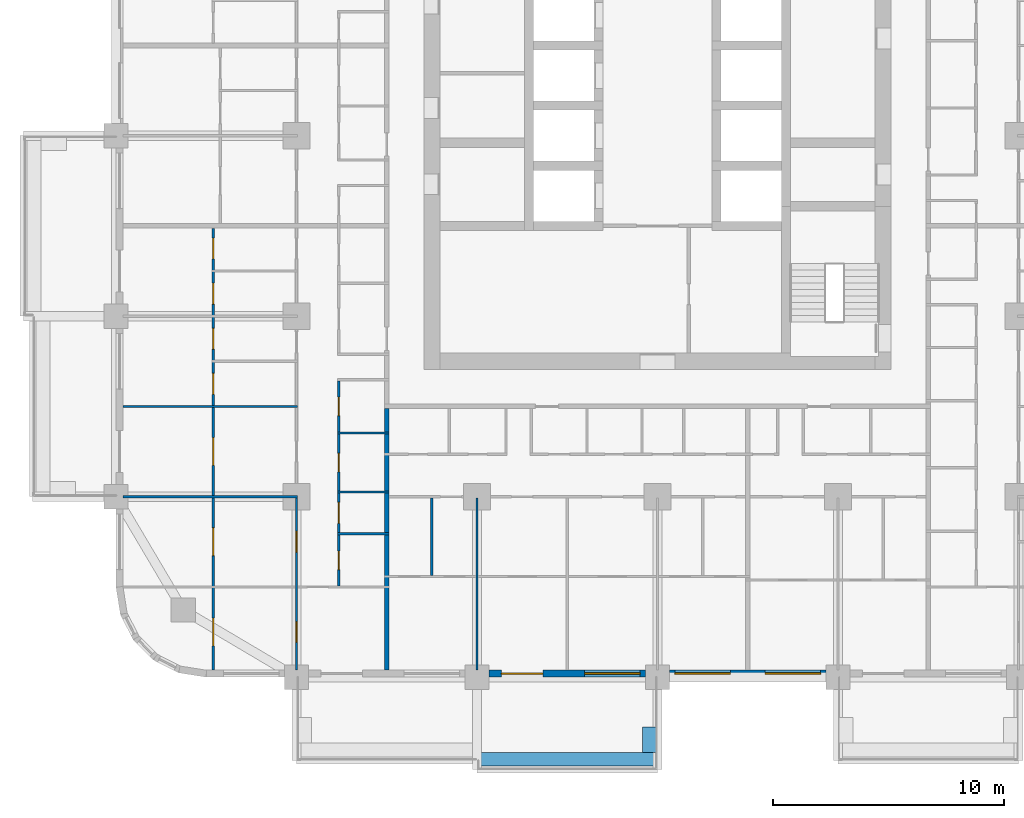
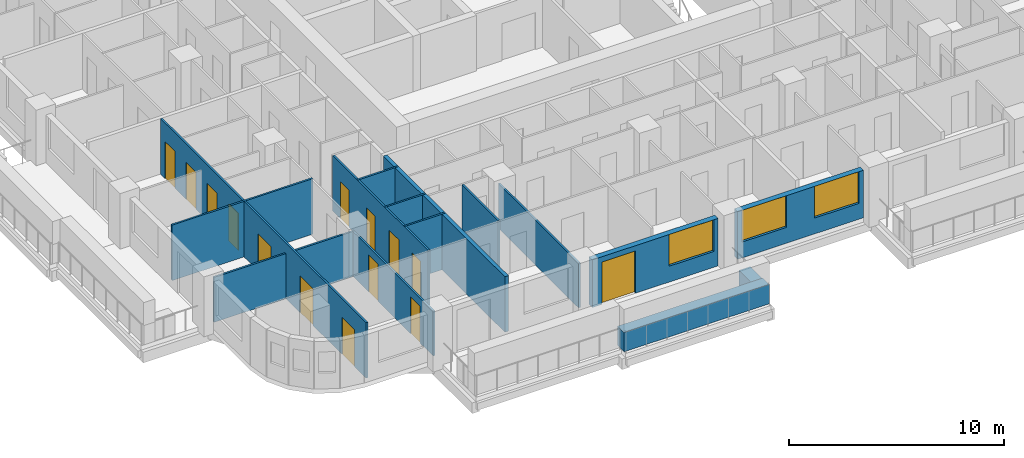
# One storey, part 3 of 17: 15 walls, 14 doors, 3 windows, 17 openings.
"""IFC4 building model written with IfcOpenShell, lengths in metres."""

from ifc_helpers import new_model, si_unit, direction, frame, frame_2d, origin, place, context, subcontext, project, spatial, rectangle, extrude, material, layer, layer_set, type_object, element, fill, save


model = new_model("IFC4")

# Units and contexts
model_context = context("Model", 3, precision=1e-05, world=origin(), true_north=direction((0.0, 1.0)))
body_context = subcontext(model_context, "Body", "Model", "MODEL_VIEW")
ifc_project = project(units=[si_unit("LENGTHUNIT", "METRE"), si_unit("AREAUNIT", "SQUARE_METRE"), si_unit("VOLUMEUNIT", "CUBIC_METRE"), si_unit("PLANEANGLEUNIT", "RADIAN"), si_unit("MASSUNIT", "GRAM", prefix="KILO")], contexts=[model_context])

# Site, building, storey
site_placement = place(None, origin())
site = spatial("IfcSite", under=ifc_project, at=site_placement, CompositionType="ELEMENT")
building_placement = place(site_placement, origin())
building = spatial("IfcBuilding", under=site, at=building_placement, Name="Ludao Terraces", CompositionType="ELEMENT")
storey_placement = place(building_placement, frame((0.0, 0.0, 22.89990234375)))
storey = spatial("IfcBuildingStorey", under=building, at=storey_placement, Name="L05", CompositionType="ELEMENT", Elevation=22.89990234375)

# Walls
ifc_material_1 = material(Name="Concrete C40", Category="concrete")
ifc_layer_1 = layer(ifc_material_1, 0.60009765625)
ifc_layer_set_1 = layer_set([ifc_layer_1], Name="ENV Planter trough 600")
wall_type_1 = type_object("IfcWallType", Name="ENV Planter trough 600", PredefinedType="USERDEFINED", material=ifc_layer_set_1)
wall_1_placement = place(storey_placement, frame((77.199951171875, 38.050048828125, 0.0), z_axis=(0.0, 0.0, 1.0), x_axis=(1.0, 0.0, 0.0)))
element("IfcWall", 1, at=wall_1_placement, inside=storey, type_object=wall_type_1, Name="PL-L05-S2", ObjectType="PLANTER", PredefinedType="USERDEFINED", context=body_context, shape_type="SweptSolid", body=[
    extrude(rectangle(XDim=7.800048828125, YDim=0.60009765625, at=frame_2d((3.89990234375, 0.0))), origin(), (0.0, 0.0, 1.0), 1.10009765625),
])
wall_2_placement = place(storey_placement, frame((84.64990234375, 38.35009765625, 0.0), z_axis=(0.0, 0.0, 1.0), x_axis=(0.0, 1.0, 0.0)))
element("IfcWall", 2, at=wall_2_placement, inside=storey, type_object=wall_type_1, Name="PL-L05-S2-SB", ObjectType="PLANTER", PredefinedType="USERDEFINED", context=body_context, shape_type="SweptSolid", body=[
    extrude(rectangle(XDim=1.099853515625, YDim=0.60009765625, at=frame_2d((0.5498046875, 0.0))), origin(), (0.0, 0.0, 1.0), 1.10009765625),
])

# Wall, openings, door, window
ifc_material_2 = material(Name="Granite cladding", Category="masonry")
ifc_layer_2 = layer(ifc_material_2, 0.0400390625, Category="stone")
ifc_material_3 = material(Name="Mineral wool")
ifc_layer_3 = layer(ifc_material_3, 0.06005859375)
ifc_layer_4 = layer(ifc_material_1, 0.199951171875, Category="concrete")
ifc_layer_set_2 = layer_set([ifc_layer_2, ifc_layer_3, ifc_layer_4], Name="ENV Stone-clad wall 300")
wall_type_2 = type_object("IfcWallType", Name="ENV Stone-clad wall 300", PredefinedType="SOLIDWALL", material=ifc_layer_set_2)
wall_3_placement = place(storey_placement, frame((77.72509765625, 41.75, 0.0), z_axis=(0.0, 0.0, 1.0), x_axis=(1.0, 0.0, 0.0)))
wall_3 = element("IfcWall", 3, at=wall_3_placement, inside=storey, type_object=wall_type_2, Name="EW-L05-S3", PredefinedType="SOLIDWALL", context=body_context, shape_type="SweptSolid", body=[
    extrude(rectangle(XDim=6.75, YDim=0.300048828125, at=frame_2d((3.375, 0.0))), origin(), (0.0, 0.0, 1.0), 2.7001953125),
])
opening_1_placement = place(wall_3_placement, frame((0.52490234375, 0.0, 0.0)))
opening_1 = element("IfcOpeningElement", 4, at=opening_1_placement, cuts=wall_3, Name="Opening BD", PredefinedType="OPENING", context=body_context, shape_type="SweptSolid", body=[
    extrude(rectangle(XDim=1.800048828125, YDim=2.39990234375, at=frame_2d((0.89990234375, 1.199951171875))), frame((0.0, 0.16015625, 0.0), z_axis=(0.0, -1.0, 0.0), x_axis=(1.0, 0.0, 0.0)), (0.0, 0.0, 1.0), 0.320068359375),
])
opening_2_placement = place(wall_3_placement, frame((4.125, 0.0, 0.89990234375)))
opening_2 = element("IfcOpeningElement", 5, at=opening_2_placement, cuts=wall_3, Name="Opening W1", PredefinedType="OPENING", context=body_context, shape_type="SweptSolid", body=[
    extrude(rectangle(XDim=2.39990234375, YDim=1.800048828125, at=frame_2d((1.199951171875, 0.89990234375))), frame((0.0, 0.16015625, 0.0), z_axis=(0.0, -1.0, 0.0), x_axis=(1.0, 0.0, 0.0)), (0.0, 0.0, 1.0), 0.320068359375),
])
ifc_material_4 = material(Name="Aluminium glazed door", Category="aluminium")
ifc_layer_5 = layer(ifc_material_4, 0.06005859375)
ifc_layer_set_3 = layer_set([ifc_layer_5], Name="ENV Balcony door BD 1800x2400")
door_type_1 = type_object("IfcDoorType", Name="ENV Balcony door BD 1800x2400", OperationType="DOUBLE_DOOR_SINGLE_SWING", PredefinedType="DOOR", material=ifc_layer_set_3)
door_1_placement = place(opening_1_placement, origin())
door_1 = element("IfcDoor", 6, at=door_1_placement, inside=storey, type_object=door_type_1, Name="BD-L05-S3-1", OperationType="DOUBLE_DOOR_SINGLE_SWING", OverallHeight=2.39990234375, OverallWidth=1.800048828125, PredefinedType="DOOR", context=body_context, shape_type="SweptSolid", body=[
    extrude(rectangle(XDim=1.800048828125, YDim=2.39990234375, at=frame_2d((0.89990234375, 1.199951171875))), frame((0.0, 0.02490234375, 0.0), z_axis=(0.0, -1.0, 0.0), x_axis=(1.0, 0.0, 0.0)), (0.0, 0.0, 1.0), 0.050048828125),
])
fill(opening_1, door_1)
ifc_material_5 = material(Name="Clear glass in aluminium frame", Category="aluminium")
ifc_layer_6 = layer(ifc_material_5, 0.06005859375)
ifc_layer_set_4 = layer_set([ifc_layer_6], Name="ENV Window W1 2400x1800")
window_type = type_object("IfcWindowType", Name="ENV Window W1 2400x1800", PartitioningType="DOUBLE_PANEL_VERTICAL", PredefinedType="WINDOW", material=ifc_layer_set_4)
window_1_placement = place(opening_2_placement, origin())
window_1 = element("IfcWindow", 7, at=window_1_placement, inside=storey, type_object=window_type, Name="W-L05-S3-2", OverallHeight=1.800048828125, OverallWidth=2.39990234375, PartitioningType="DOUBLE_PANEL_VERTICAL", PredefinedType="WINDOW", context=body_context, shape_type="SweptSolid", body=[
    extrude(rectangle(XDim=2.39990234375, YDim=1.800048828125, at=frame_2d((1.199951171875, 0.89990234375))), frame((0.0, 0.030029296875, 0.0), z_axis=(0.0, -1.0, 0.0), x_axis=(1.0, 0.0, 0.0)), (0.0, 0.0, 1.0), 0.06005859375),
])
fill(opening_2, window_1)

# Wall, openings, windows
wall_4_placement = place(storey_placement, frame((85.52490234375, 41.75, 0.0), z_axis=(0.0, 0.0, 1.0), x_axis=(1.0, 0.0, 0.0)))
wall_4 = element("IfcWall", 8, at=wall_4_placement, inside=storey, type_object=wall_type_2, Name="EW-L05-S4", PredefinedType="SOLIDWALL", context=body_context, shape_type="SweptSolid", body=[
    extrude(rectangle(XDim=6.75, YDim=0.300048828125, at=frame_2d((3.375, 0.0))), origin(), (0.0, 0.0, 1.0), 2.7001953125),
])
opening_3_placement = place(wall_4_placement, frame((0.22509765625, 0.0, 0.89990234375)))
opening_3 = element("IfcOpeningElement", 9, at=opening_3_placement, cuts=wall_4, Name="Opening W1", PredefinedType="OPENING", context=body_context, shape_type="SweptSolid", body=[
    extrude(rectangle(XDim=2.39990234375, YDim=1.800048828125, at=frame_2d((1.199951171875, 0.89990234375))), frame((0.0, 0.16015625, 0.0), z_axis=(0.0, -1.0, 0.0), x_axis=(1.0, 0.0, 0.0)), (0.0, 0.0, 1.0), 0.320068359375),
])
opening_4_placement = place(wall_4_placement, frame((4.125, 0.0, 0.89990234375)))
opening_4 = element("IfcOpeningElement", 10, at=opening_4_placement, cuts=wall_4, Name="Opening W1", PredefinedType="OPENING", context=body_context, shape_type="SweptSolid", body=[
    extrude(rectangle(XDim=2.39990234375, YDim=1.800048828125, at=frame_2d((1.199951171875, 0.89990234375))), frame((0.0, 0.16015625, 0.0), z_axis=(0.0, -1.0, 0.0), x_axis=(1.0, 0.0, 0.0)), (0.0, 0.0, 1.0), 0.320068359375),
])
window_2_placement = place(opening_3_placement, origin())
window_2 = element("IfcWindow", 11, at=window_2_placement, inside=storey, type_object=window_type, Name="W-L05-S4-1", OverallHeight=1.800048828125, OverallWidth=2.39990234375, PartitioningType="DOUBLE_PANEL_VERTICAL", PredefinedType="WINDOW", context=body_context, shape_type="SweptSolid", body=[
    extrude(rectangle(XDim=2.39990234375, YDim=1.800048828125, at=frame_2d((1.199951171875, 0.89990234375))), frame((0.0, 0.030029296875, 0.0), z_axis=(0.0, -1.0, 0.0), x_axis=(1.0, 0.0, 0.0)), (0.0, 0.0, 1.0), 0.06005859375),
])
fill(opening_3, window_2)
window_3_placement = place(opening_4_placement, origin())
window_3 = element("IfcWindow", 12, at=window_3_placement, inside=storey, type_object=window_type, Name="W-L05-S4-2", OverallHeight=1.800048828125, OverallWidth=2.39990234375, PartitioningType="DOUBLE_PANEL_VERTICAL", PredefinedType="WINDOW", context=body_context, shape_type="SweptSolid", body=[
    extrude(rectangle(XDim=2.39990234375, YDim=1.800048828125, at=frame_2d((1.199951171875, 0.89990234375))), frame((0.0, 0.030029296875, 0.0), z_axis=(0.0, -1.0, 0.0), x_axis=(1.0, 0.0, 0.0)), (0.0, 0.0, 1.0), 0.06005859375),
])
fill(opening_4, window_3)

# Walls
ifc_material_6 = material(Name="Gypsum plasterboard", Category="gypsum")
ifc_layer_7 = layer(ifc_material_6, 0.012451171875, Category="gypsum")
ifc_layer_8 = layer(ifc_material_3, 0.06005859375, Name="insulation")
ifc_material_7 = material(Name="Steel Q235", Category="steel")
ifc_layer_9 = layer(ifc_material_7, 0.014892578125, Name="stud")
ifc_layer_10 = layer(ifc_material_6, 0.012451171875, Category="gypsum")
ifc_layer_set_5 = layer_set([ifc_layer_7, ifc_layer_8, ifc_layer_9, ifc_layer_10], Name="INT Partition 100")
wall_type_3 = type_object("IfcWallType", Name="INT Partition 100", PredefinedType="PARTITIONING", material=ifc_layer_set_5)
wall_5_placement = place(storey_placement, frame((71.18017578125, 47.800048828125, 0.0), z_axis=(0.0, 0.0, 1.0), x_axis=(1.0, 0.0, 0.0)))
element("IfcWall", 13, at=wall_5_placement, inside=storey, type_object=wall_type_3, Name="PW-L05-PW005", PredefinedType="PARTITIONING", context=body_context, shape_type="SweptSolid", body=[
    extrude(rectangle(XDim=2.219970703125, YDim=0.10009765625, at=frame_2d((1.10986328125, 0.0))), origin(), (0.0, 0.0, 1.0), 3.150146484375),
])
wall_6_placement = place(storey_placement, frame((61.900146484375, 49.39990234375, 0.0), z_axis=(0.0, 0.0, 1.0), x_axis=(1.0, 0.0, 0.0)))
element("IfcWall", 14, at=wall_6_placement, inside=storey, type_object=wall_type_3, Name="PW-L05-PW007", PredefinedType="PARTITIONING", context=body_context, shape_type="SweptSolid", body=[
    extrude(rectangle(XDim=7.550048828125, YDim=0.10009765625, at=frame_2d((3.77490234375, 0.0))), origin(), (0.0, 0.0, 1.0), 2.550048828125),
])
for number, where, z_axis, x_axis, name in (
    (15, (71.18017578125, 49.60009765625, 0.0), (0.0, 0.0, 1.0), (1.0, 0.0, 0.0), "PW-L05-PW010"),
    (16, (71.18017578125, 52.14990234375, 0.0), (0.0, 0.0, 1.0), (1.0, 0.0, 0.0), "PW-L05-PW015"),
):
    element("IfcWall", number, at=place(storey_placement, frame(where, z_axis=z_axis, x_axis=x_axis)), inside=storey, type_object=wall_type_3, Name=name, PredefinedType="PARTITIONING", context=body_context, shape_type="SweptSolid", body=[
        extrude(rectangle(XDim=2.219970703125, YDim=0.10009765625, at=frame_2d((1.10986328125, 0.0))), origin(), (0.0, 0.0, 1.0), 3.150146484375),
    ])
wall_7_placement = place(storey_placement, frame((61.900146484375, 53.300048828125, 0.0), z_axis=(0.0, 0.0, 1.0), x_axis=(1.0, 0.0, 0.0)))
element("IfcWall", 17, at=wall_7_placement, inside=storey, type_object=wall_type_3, Name="PW-L05-PW016", PredefinedType="PARTITIONING", context=body_context, shape_type="SweptSolid", body=[
    extrude(rectangle(XDim=7.550048828125, YDim=0.10009765625, at=frame_2d((3.77490234375, 0.0))), origin(), (0.0, 0.0, 1.0), 3.150146484375),
])

# Wall, openings, doors
wall_8_placement = place(storey_placement, frame((65.800048828125, 41.900146484375, 0.0), z_axis=(0.0, 0.0, 1.0), x_axis=(0.0, 1.0, 0.0)))
wall_8 = element("IfcWall", 18, at=wall_8_placement, inside=storey, type_object=wall_type_3, Name="PW-L05-PW073", PredefinedType="PARTITIONING", context=body_context, shape_type="SweptSolid", body=[
    extrude(rectangle(XDim=19.099853515625, YDim=0.10009765625, at=frame_2d((9.5498046875, 0.0))), origin(), (0.0, 0.0, 1.0), 3.150146484375),
])
opening_5_placement = place(wall_8_placement, frame((1.050048828125, 0.0, 0.0)))
opening_5 = element("IfcOpeningElement", 19, at=opening_5_placement, cuts=wall_8, Name="Opening R01-001", PredefinedType="OPENING", context=body_context, shape_type="SweptSolid", body=[
    extrude(rectangle(XDim=1.199951171875, YDim=2.10009765625, at=frame_2d((0.60009765625, 1.050048828125))), frame((0.0, 0.06005859375, 0.0), z_axis=(0.0, -1.0, 0.0), x_axis=(1.0, 0.0, 0.0)), (0.0, 0.0, 1.0), 0.1201171875),
])
opening_6_placement = place(wall_8_placement, frame((4.949951171875, 0.0, 0.0)))
opening_6 = element("IfcOpeningElement", 20, at=opening_6_placement, cuts=wall_8, Name="Opening R01-019", PredefinedType="OPENING", context=body_context, shape_type="SweptSolid", body=[
    extrude(rectangle(XDim=1.199951171875, YDim=2.10009765625, at=frame_2d((0.60009765625, 1.050048828125))), frame((0.0, 0.06005859375, 0.0), z_axis=(0.0, -1.0, 0.0), x_axis=(1.0, 0.0, 0.0)), (0.0, 0.0, 1.0), 0.1201171875),
])
opening_7_placement = place(wall_8_placement, frame((8.85009765625, 0.0, 0.0)))
opening_7 = element("IfcOpeningElement", 21, at=opening_7_placement, cuts=wall_8, Name="Opening R01-041", PredefinedType="OPENING", context=body_context, shape_type="SweptSolid", body=[
    extrude(rectangle(XDim=1.199951171875, YDim=2.10009765625, at=frame_2d((0.60009765625, 1.050048828125))), frame((0.0, 0.06005859375, 0.0), z_axis=(0.0, -1.0, 0.0), x_axis=(1.0, 0.0, 0.0)), (0.0, 0.0, 1.0), 0.1201171875),
])
opening_8_placement = place(wall_8_placement, frame((11.925048828125, 0.0, 0.0)))
opening_8 = element("IfcOpeningElement", 22, at=opening_8_placement, cuts=wall_8, Name="Opening R01-049", PredefinedType="OPENING", context=body_context, shape_type="SweptSolid", body=[
    extrude(rectangle(XDim=0.89990234375, YDim=2.10009765625, at=frame_2d((0.449951171875, 1.050048828125))), frame((0.0, 0.06005859375, 0.0), z_axis=(0.0, -1.0, 0.0), x_axis=(1.0, 0.0, 0.0)), (0.0, 0.0, 1.0), 0.1201171875),
])
opening_9_placement = place(wall_8_placement, frame((13.875, 0.0, 0.0)))
opening_9 = element("IfcOpeningElement", 23, at=opening_9_placement, cuts=wall_8, Name="Opening R01-055", PredefinedType="OPENING", context=body_context, shape_type="SweptSolid", body=[
    extrude(rectangle(XDim=0.89990234375, YDim=2.10009765625, at=frame_2d((0.449951171875, 1.050048828125))), frame((0.0, 0.06005859375, 0.0), z_axis=(0.0, -1.0, 0.0), x_axis=(1.0, 0.0, 0.0)), (0.0, 0.0, 1.0), 0.1201171875),
])
opening_10_placement = place(wall_8_placement, frame((15.824951171875, 0.0, 0.0)))
opening_10 = element("IfcOpeningElement", 24, at=opening_10_placement, cuts=wall_8, Name="Opening R01-061", PredefinedType="OPENING", context=body_context, shape_type="SweptSolid", body=[
    extrude(rectangle(XDim=0.89990234375, YDim=2.10009765625, at=frame_2d((0.449951171875, 1.050048828125))), frame((0.0, 0.06005859375, 0.0), z_axis=(0.0, -1.0, 0.0), x_axis=(1.0, 0.0, 0.0)), (0.0, 0.0, 1.0), 0.1201171875),
])
opening_11_placement = place(wall_8_placement, frame((17.77490234375, 0.0, 0.0)))
opening_11 = element("IfcOpeningElement", 25, at=opening_11_placement, cuts=wall_8, Name="Opening R01-066", PredefinedType="OPENING", context=body_context, shape_type="SweptSolid", body=[
    extrude(rectangle(XDim=0.89990234375, YDim=2.10009765625, at=frame_2d((0.449951171875, 1.050048828125))), frame((0.0, 0.06005859375, 0.0), z_axis=(0.0, -1.0, 0.0), x_axis=(1.0, 0.0, 0.0)), (0.0, 0.0, 1.0), 0.1201171875),
])
ifc_material_8 = material(Name="Timber door leaf", Category="wood")
door_type_2 = type_object("IfcDoorType", Name="INT Bathroom door 900", OperationType="SINGLE_SWING_LEFT", PredefinedType="DOOR", material=ifc_material_8)
door_2_placement = place(opening_8_placement, origin())
door_2 = element("IfcDoor", 26, at=door_2_placement, inside=storey, type_object=door_type_2, Name="DOOR 049", OperationType="SINGLE_SWING_RIGHT", OverallHeight=2.10009765625, OverallWidth=0.89990234375, PredefinedType="DOOR", context=body_context, shape_type="SweptSolid", body=[
    extrude(rectangle(XDim=0.89990234375, YDim=2.10009765625, at=frame_2d((0.449951171875, 1.050048828125))), frame((0.0, 0.02490234375, 0.0), z_axis=(0.0, -1.0, 0.0), x_axis=(1.0, 0.0, 0.0)), (0.0, 0.0, 1.0), 0.050048828125),
])
fill(opening_8, door_2)
door_3_placement = place(opening_10_placement, origin())
door_3 = element("IfcDoor", 27, at=door_3_placement, inside=storey, type_object=door_type_2, Name="DOOR 061", OperationType="SINGLE_SWING_LEFT", OverallHeight=2.10009765625, OverallWidth=0.89990234375, PredefinedType="DOOR", context=body_context, shape_type="SweptSolid", body=[
    extrude(rectangle(XDim=0.89990234375, YDim=2.10009765625, at=frame_2d((0.449951171875, 1.050048828125))), frame((0.0, 0.02490234375, 0.0), z_axis=(0.0, -1.0, 0.0), x_axis=(1.0, 0.0, 0.0)), (0.0, 0.0, 1.0), 0.050048828125),
])
fill(opening_10, door_3)
door_type_3 = type_object("IfcDoorType", Name="INT Double door 1200", OperationType="DOUBLE_DOOR_SINGLE_SWING", PredefinedType="DOOR", material=ifc_material_8)
door_4_placement = place(opening_5_placement, origin())
door_4 = element("IfcDoor", 28, at=door_4_placement, inside=storey, type_object=door_type_3, Name="DOOR 001", OperationType="DOUBLE_DOOR_SINGLE_SWING", OverallHeight=2.10009765625, OverallWidth=1.199951171875, PredefinedType="DOOR", context=body_context, shape_type="SweptSolid", body=[
    extrude(rectangle(XDim=1.199951171875, YDim=2.10009765625, at=frame_2d((0.60009765625, 1.050048828125))), frame((0.0, 0.02490234375, 0.0), z_axis=(0.0, -1.0, 0.0), x_axis=(1.0, 0.0, 0.0)), (0.0, 0.0, 1.0), 0.050048828125),
])
fill(opening_5, door_4)
door_5_placement = place(opening_6_placement, origin())
door_5 = element("IfcDoor", 29, at=door_5_placement, inside=storey, type_object=door_type_3, Name="DOOR 019", OperationType="DOUBLE_DOOR_SINGLE_SWING", OverallHeight=2.10009765625, OverallWidth=1.199951171875, PredefinedType="DOOR", context=body_context, shape_type="SweptSolid", body=[
    extrude(rectangle(XDim=1.199951171875, YDim=2.10009765625, at=frame_2d((0.60009765625, 1.050048828125))), frame((0.0, 0.02490234375, 0.0), z_axis=(0.0, -1.0, 0.0), x_axis=(1.0, 0.0, 0.0)), (0.0, 0.0, 1.0), 0.050048828125),
])
fill(opening_6, door_5)
door_6_placement = place(opening_7_placement, origin())
door_6 = element("IfcDoor", 30, at=door_6_placement, inside=storey, type_object=door_type_3, Name="DOOR 041", OperationType="DOUBLE_DOOR_SINGLE_SWING", OverallHeight=2.10009765625, OverallWidth=1.199951171875, PredefinedType="DOOR", context=body_context, shape_type="SweptSolid", body=[
    extrude(rectangle(XDim=1.199951171875, YDim=2.10009765625, at=frame_2d((0.60009765625, 1.050048828125))), frame((0.0, 0.02490234375, 0.0), z_axis=(0.0, -1.0, 0.0), x_axis=(1.0, 0.0, 0.0)), (0.0, 0.0, 1.0), 0.050048828125),
])
fill(opening_7, door_6)
door_type_4 = type_object("IfcDoorType", Name="INT Room door 900", OperationType="SINGLE_SWING_LEFT", PredefinedType="DOOR", material=ifc_material_8)
door_7_placement = place(opening_9_placement, origin())
door_7 = element("IfcDoor", 31, at=door_7_placement, inside=storey, type_object=door_type_4, Name="DOOR 055", OperationType="SINGLE_SWING_RIGHT", OverallHeight=2.10009765625, OverallWidth=0.89990234375, PredefinedType="DOOR", context=body_context, shape_type="SweptSolid", body=[
    extrude(rectangle(XDim=0.89990234375, YDim=2.10009765625, at=frame_2d((0.449951171875, 1.050048828125))), frame((0.0, 0.02490234375, 0.0), z_axis=(0.0, -1.0, 0.0), x_axis=(1.0, 0.0, 0.0)), (0.0, 0.0, 1.0), 0.050048828125),
])
fill(opening_9, door_7)
door_8_placement = place(opening_11_placement, origin())
door_8 = element("IfcDoor", 32, at=door_8_placement, inside=storey, type_object=door_type_4, Name="DOOR 066", OperationType="SINGLE_SWING_LEFT", OverallHeight=2.10009765625, OverallWidth=0.89990234375, PredefinedType="DOOR", context=body_context, shape_type="SweptSolid", body=[
    extrude(rectangle(XDim=0.89990234375, YDim=2.10009765625, at=frame_2d((0.449951171875, 1.050048828125))), frame((0.0, 0.02490234375, 0.0), z_axis=(0.0, -1.0, 0.0), x_axis=(1.0, 0.0, 0.0)), (0.0, 0.0, 1.0), 0.050048828125),
])
fill(opening_11, door_8)

wall_9_placement = place(storey_placement, frame((69.39990234375, 41.900146484375, 0.0), z_axis=(0.0, 0.0, 1.0), x_axis=(0.0, 1.0, 0.0)))
wall_9 = element("IfcWall", 33, at=wall_9_placement, inside=storey, type_object=wall_type_3, Name="PW-L05-PW077", PredefinedType="PARTITIONING", context=body_context, shape_type="SweptSolid", body=[
    extrude(rectangle(XDim=7.499755859375, YDim=0.10009765625, at=frame_2d((3.75, 0.0))), origin(), (0.0, 0.0, 1.0), 2.550048828125),
])
opening_12_placement = place(wall_9_placement, frame((1.199951171875, 0.0, 0.0)))
opening_12 = element("IfcOpeningElement", 34, at=opening_12_placement, cuts=wall_9, Name="Opening R01-002", PredefinedType="OPENING", context=body_context, shape_type="SweptSolid", body=[
    extrude(rectangle(XDim=0.89990234375, YDim=2.10009765625, at=frame_2d((0.449951171875, 1.050048828125))), frame((0.0, 0.06005859375, 0.0), z_axis=(0.0, -1.0, 0.0), x_axis=(1.0, 0.0, 0.0)), (0.0, 0.0, 1.0), 0.1201171875),
])
opening_13_placement = place(wall_9_placement, frame((5.10009765625, 0.0, 0.0)))
opening_13 = element("IfcOpeningElement", 35, at=opening_13_placement, cuts=wall_9, Name="Opening R01-020", PredefinedType="OPENING", context=body_context, shape_type="SweptSolid", body=[
    extrude(rectangle(XDim=0.89990234375, YDim=2.10009765625, at=frame_2d((0.449951171875, 1.050048828125))), frame((0.0, 0.06005859375, 0.0), z_axis=(0.0, -1.0, 0.0), x_axis=(1.0, 0.0, 0.0)), (0.0, 0.0, 1.0), 0.1201171875),
])
door_9_placement = place(opening_12_placement, origin())
door_9 = element("IfcDoor", 36, at=door_9_placement, inside=storey, type_object=door_type_4, Name="DOOR 002", OperationType="SINGLE_SWING_LEFT", OverallHeight=2.10009765625, OverallWidth=0.89990234375, PredefinedType="DOOR", context=body_context, shape_type="SweptSolid", body=[
    extrude(rectangle(XDim=0.89990234375, YDim=2.10009765625, at=frame_2d((0.449951171875, 1.050048828125))), frame((0.0, 0.02490234375, 0.0), z_axis=(0.0, -1.0, 0.0), x_axis=(1.0, 0.0, 0.0)), (0.0, 0.0, 1.0), 0.050048828125),
])
fill(opening_12, door_9)
door_10_placement = place(opening_13_placement, origin())
door_10 = element("IfcDoor", 37, at=door_10_placement, inside=storey, type_object=door_type_4, Name="DOOR 020", OperationType="SINGLE_SWING_RIGHT", OverallHeight=2.10009765625, OverallWidth=0.89990234375, PredefinedType="DOOR", context=body_context, shape_type="SweptSolid", body=[
    extrude(rectangle(XDim=0.89990234375, YDim=2.10009765625, at=frame_2d((0.449951171875, 1.050048828125))), frame((0.0, 0.02490234375, 0.0), z_axis=(0.0, -1.0, 0.0), x_axis=(1.0, 0.0, 0.0)), (0.0, 0.0, 1.0), 0.050048828125),
])
fill(opening_13, door_10)

wall_10_placement = place(storey_placement, frame((71.22998046875, 45.550048828125, 0.0), z_axis=(0.0, 0.0, 1.0), x_axis=(0.0, 1.0, 0.0)))
wall_10 = element("IfcWall", 38, at=wall_10_placement, inside=storey, type_object=wall_type_3, Name="PW-L05-PW078", PredefinedType="PARTITIONING", context=body_context, shape_type="SweptSolid", body=[
    extrude(rectangle(XDim=8.85009765625, YDim=0.10009765625, at=frame_2d((4.425048828125, 0.0))), origin(), (0.0, 0.0, 1.0), 3.150146484375),
])
opening_14_placement = place(wall_10_placement, frame((0.699951171875, 0.0, 0.0)))
opening_14 = element("IfcOpeningElement", 39, at=opening_14_placement, cuts=wall_10, Name="Opening R01-017", PredefinedType="OPENING", context=body_context, shape_type="SweptSolid", body=[
    extrude(rectangle(XDim=0.800048828125, YDim=2.10009765625, at=frame_2d((0.39990234375, 1.050048828125))), frame((0.0, 0.06005859375, 0.0), z_axis=(0.0, -1.0, 0.0), x_axis=(1.0, 0.0, 0.0)), (0.0, 0.0, 1.0), 0.1201171875),
])
opening_15_placement = place(wall_10_placement, frame((2.699951171875, 0.0, 0.0)))
opening_15 = element("IfcOpeningElement", 40, at=opening_15_placement, cuts=wall_10, Name="Opening R01-023", PredefinedType="OPENING", context=body_context, shape_type="SweptSolid", body=[
    extrude(rectangle(XDim=0.89990234375, YDim=2.10009765625, at=frame_2d((0.449951171875, 1.050048828125))), frame((0.0, 0.06005859375, 0.0), z_axis=(0.0, -1.0, 0.0), x_axis=(1.0, 0.0, 0.0)), (0.0, 0.0, 1.0), 0.1201171875),
])
opening_16_placement = place(wall_10_placement, frame((4.925048828125, 0.0, 0.0)))
opening_16 = element("IfcOpeningElement", 41, at=opening_16_placement, cuts=wall_10, Name="Opening R01-031", PredefinedType="OPENING", context=body_context, shape_type="SweptSolid", body=[
    extrude(rectangle(XDim=0.800048828125, YDim=2.10009765625, at=frame_2d((0.39990234375, 1.050048828125))), frame((0.0, 0.06005859375, 0.0), z_axis=(0.0, -1.0, 0.0), x_axis=(1.0, 0.0, 0.0)), (0.0, 0.0, 1.0), 0.1201171875),
])
opening_17_placement = place(wall_10_placement, frame((7.35009765625, 0.0, 0.0)))
opening_17 = element("IfcOpeningElement", 42, at=opening_17_placement, cuts=wall_10, Name="Opening R01-046", PredefinedType="OPENING", context=body_context, shape_type="SweptSolid", body=[
    extrude(rectangle(XDim=0.800048828125, YDim=2.10009765625, at=frame_2d((0.39990234375, 1.050048828125))), frame((0.0, 0.06005859375, 0.0), z_axis=(0.0, -1.0, 0.0), x_axis=(1.0, 0.0, 0.0)), (0.0, 0.0, 1.0), 0.1201171875),
])
door_11_placement = place(opening_15_placement, origin())
door_11 = element("IfcDoor", 43, at=door_11_placement, inside=storey, type_object=door_type_2, Name="DOOR 023", OperationType="SINGLE_SWING_RIGHT", OverallHeight=2.10009765625, OverallWidth=0.89990234375, PredefinedType="DOOR", context=body_context, shape_type="SweptSolid", body=[
    extrude(rectangle(XDim=0.89990234375, YDim=2.10009765625, at=frame_2d((0.449951171875, 1.050048828125))), frame((0.0, 0.02490234375, 0.0), z_axis=(0.0, -1.0, 0.0), x_axis=(1.0, 0.0, 0.0)), (0.0, 0.0, 1.0), 0.050048828125),
])
fill(opening_15, door_11)
door_type_5 = type_object("IfcDoorType", Name="INT Store door 800", OperationType="SINGLE_SWING_LEFT", PredefinedType="DOOR", material=ifc_material_8)
door_12_placement = place(opening_14_placement, origin())
door_12 = element("IfcDoor", 44, at=door_12_placement, inside=storey, type_object=door_type_5, Name="DOOR 017", OperationType="SINGLE_SWING_RIGHT", OverallHeight=2.10009765625, OverallWidth=0.800048828125, PredefinedType="DOOR", context=body_context, shape_type="SweptSolid", body=[
    extrude(rectangle(XDim=0.800048828125, YDim=2.10009765625, at=frame_2d((0.39990234375, 1.050048828125))), frame((0.0, 0.02490234375, 0.0), z_axis=(0.0, -1.0, 0.0), x_axis=(1.0, 0.0, 0.0)), (0.0, 0.0, 1.0), 0.050048828125),
])
fill(opening_14, door_12)
door_13_placement = place(opening_16_placement, origin())
door_13 = element("IfcDoor", 45, at=door_13_placement, inside=storey, type_object=door_type_5, Name="DOOR 031", OperationType="SINGLE_SWING_RIGHT", OverallHeight=2.10009765625, OverallWidth=0.800048828125, PredefinedType="DOOR", context=body_context, shape_type="SweptSolid", body=[
    extrude(rectangle(XDim=0.800048828125, YDim=2.10009765625, at=frame_2d((0.39990234375, 1.050048828125))), frame((0.0, 0.02490234375, 0.0), z_axis=(0.0, -1.0, 0.0), x_axis=(1.0, 0.0, 0.0)), (0.0, 0.0, 1.0), 0.050048828125),
])
fill(opening_16, door_13)
door_14_placement = place(opening_17_placement, origin())
door_14 = element("IfcDoor", 46, at=door_14_placement, inside=storey, type_object=door_type_5, Name="DOOR 046", OperationType="SINGLE_SWING_RIGHT", OverallHeight=2.10009765625, OverallWidth=0.800048828125, PredefinedType="DOOR", context=body_context, shape_type="SweptSolid", body=[
    extrude(rectangle(XDim=0.800048828125, YDim=2.10009765625, at=frame_2d((0.39990234375, 1.050048828125))), frame((0.0, 0.02490234375, 0.0), z_axis=(0.0, -1.0, 0.0), x_axis=(1.0, 0.0, 0.0)), (0.0, 0.0, 1.0), 0.050048828125),
])
fill(opening_17, door_14)

# Walls
wall_11_placement = place(storey_placement, frame((75.25, 46.0, 0.0), z_axis=(0.0, 0.0, 1.0), x_axis=(0.0, 1.0, 0.0)))
element("IfcWall", 47, at=wall_11_placement, inside=storey, type_object=wall_type_3, Name="PW-L05-PW086", PredefinedType="PARTITIONING", context=body_context, shape_type="SweptSolid", body=[
    extrude(rectangle(XDim=3.35009765625, YDim=0.10009765625, at=frame_2d((1.675048828125, 0.0))), origin(), (0.0, 0.0, 1.0), 3.150146484375),
])
wall_12_placement = place(storey_placement, frame((77.199951171875, 41.900146484375, 0.0), z_axis=(0.0, 0.0, 1.0), x_axis=(0.0, 1.0, 0.0)))
element("IfcWall", 48, at=wall_12_placement, inside=storey, type_object=wall_type_3, Name="PW-L05-PW088", PredefinedType="PARTITIONING", context=body_context, shape_type="SweptSolid", body=[
    extrude(rectangle(XDim=7.449951171875, YDim=0.10009765625, at=frame_2d((3.72509765625, 0.0))), origin(), (0.0, 0.0, 1.0), 2.550048828125),
])
ifc_material_9 = material(Name="Autoclaved aerated concrete block B06 A3.5", Category="concrete")
ifc_layer_11 = layer(ifc_material_9, 0.199951171875)
ifc_layer_set_6 = layer_set([ifc_layer_11], Name="INT Party wall 200")
wall_type_4 = type_object("IfcWallType", Name="INT Party wall 200", PredefinedType="PARTITIONING", material=ifc_layer_set_6)
wall_13_placement = place(storey_placement, frame((73.300048828125, 41.900146484375, 0.0), z_axis=(0.0, 0.0, 1.0), x_axis=(0.0, 1.0, 0.0)))
element("IfcWall", 49, at=wall_13_placement, inside=storey, type_object=wall_type_4, Name="PW-L05-PW083", PredefinedType="PARTITIONING", context=body_context, shape_type="SweptSolid", body=[
    extrude(rectangle(XDim=11.300048828125, YDim=0.199951171875, at=frame_2d((5.64990234375, 0.0))), origin(), (0.0, 0.0, 1.0), 3.150146484375),
])

save(model, "model.ifc")
